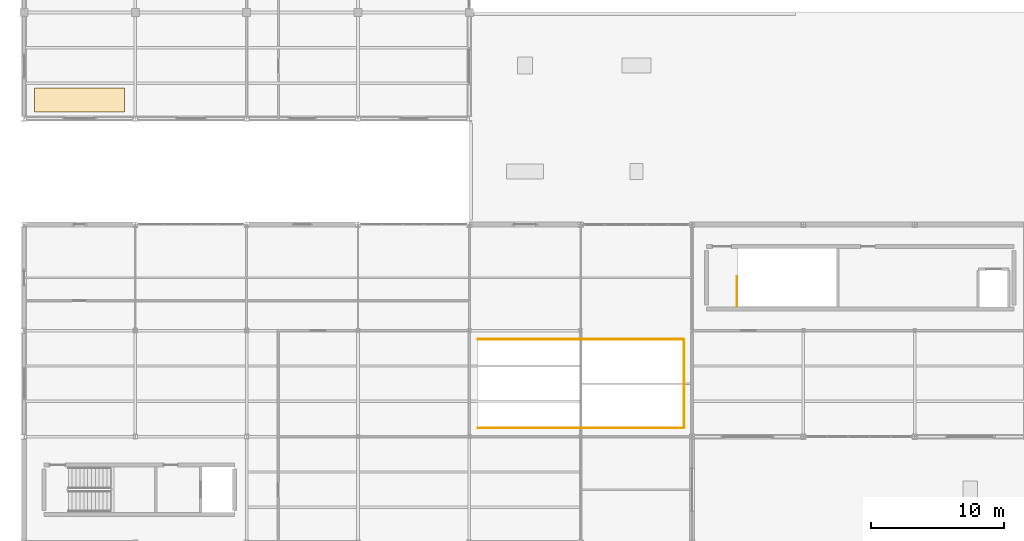
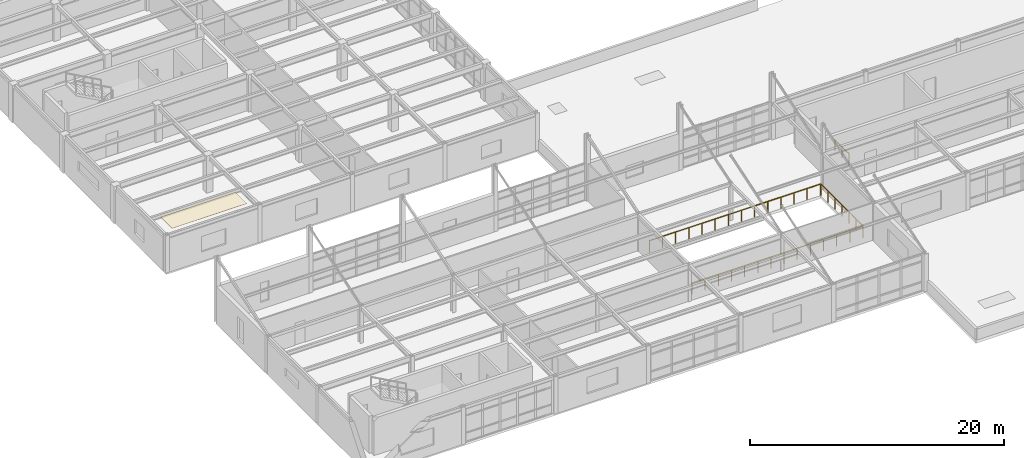
# One storey, part 90 of 96: 4 railings, 1 covering.
"""IFC4 building model written with IfcOpenShell, lengths in metres."""

import ifcopenshell
import ifcopenshell.guid

model = None  # the IFC model being written
_history = None  # IfcOwnerHistory: only IFC2X3 demands one
_inside = {}  # id of a spatial element -> (the spatial element, [elements in it])
_under = {}  # id of a project, library or spatial element -> (it, [spatial elements below it])
_declared = {}  # id of a project -> (the project, [libraries it declares])
_typed = {}  # id of a type object -> (the type object, [elements of that type])
_made_of = {}  # id of a material, layer set ... -> (it, [elements and type objects made of it])


def new_model(schema):
    """Start an empty IFC model of exactly this schema.

    Asked for "IFC4X3", IfcOpenShell would pick the latest addendum, in which some entities
    have other attributes; the version numbers below select the first issue.
    IFC2X3 requires an IfcOwnerHistory on every rooted entity: one is made here for all.
    """
    global model, _history
    if schema == "IFC4X3":
        model = ifcopenshell.file(schema_version=(4, 3, 0, 0))
    else:
        model = ifcopenshell.file(schema=schema)
    _inside.clear()
    _under.clear()
    _declared.clear()
    _typed.clear()
    _made_of.clear()
    _history = None
    if model.schema == "IFC2X3":
        org = make("IfcOrganization", Name="unknown")
        user = make(
            "IfcPersonAndOrganization",
            ThePerson=make("IfcPerson", FamilyName="unknown"),
            TheOrganization=org,
        )
        app = make(
            "IfcApplication",
            ApplicationDeveloper=org,
            Version="unknown",
            ApplicationFullName="unknown",
            ApplicationIdentifier="unknown",
        )
        _history = make(
            "IfcOwnerHistory",
            OwningUser=user,
            OwningApplication=app,
            ChangeAction="ADDED",
            CreationDate=0,
        )
    return model


def make(cls, **values):
    """One entity of the class cls with the attributes given. An attribute that is None is left unset."""
    return model.create_entity(
        cls, **{name: value for name, value in values.items() if value is not None}
    )


def rooted(cls, **values):
    """An entity with a GlobalId (a new one), such as an element, a storey or a relation."""
    return make(cls, GlobalId=ifcopenshell.guid.new(), OwnerHistory=_history, **values)


def si_unit(unit_type, name, prefix=None):
    """IfcSIUnit, for example si_unit("LENGTHUNIT", "METRE", prefix="MILLI")."""
    return make("IfcSIUnit", UnitType=unit_type, Prefix=prefix, Name=name)


def assignment(units):
    """IfcUnitAssignment: the units of a project."""
    return None if units is None else make("IfcUnitAssignment", Units=units)


def point(xyz):
    """IfcCartesianPoint."""
    return None if xyz is None else make("IfcCartesianPoint", Coordinates=xyz)


def direction(xyz):
    """IfcDirection."""
    return None if xyz is None else make("IfcDirection", DirectionRatios=xyz)


def frame(location, z_axis=None, x_axis=None):
    """IfcAxis2Placement3D, a coordinate frame: its origin and axes. An axis left out is left unset."""
    return make(
        "IfcAxis2Placement3D",
        Location=point(location),
        Axis=direction(z_axis),
        RefDirection=direction(x_axis),
    )


def frame_2d(location, x_axis=None):
    """IfcAxis2Placement2D, a coordinate frame in the plane: its origin and x axis."""
    return make(
        "IfcAxis2Placement2D", Location=point(location), RefDirection=direction(x_axis)
    )


def origin():
    """The frame at (0, 0, 0) with its axes left unset."""
    return frame((0.0, 0.0, 0.0))


def origin_2d():
    """The frame at (0, 0) in the plane with its x axis left unset."""
    return frame_2d((0.0, 0.0))


def place(relative_to, where):
    """IfcLocalPlacement: puts the frame where relative to a parent placement (None: the world)."""
    return make(
        "IfcLocalPlacement", PlacementRelTo=relative_to, RelativePlacement=where
    )


def context(
    kind, dimensions, precision=None, world=None, true_north=None, identifier=None
):
    """IfcGeometricRepresentationContext, for example the 3D "Model" context."""
    return make(
        "IfcGeometricRepresentationContext",
        ContextIdentifier=identifier,
        ContextType=kind,
        CoordinateSpaceDimension=dimensions,
        Precision=precision,
        WorldCoordinateSystem=world,
        TrueNorth=true_north,
    )


def subcontext(parent, identifier, kind, view, scale=None):
    """IfcGeometricRepresentationSubContext, for example "Body" below "Model"."""
    return make(
        "IfcGeometricRepresentationSubContext",
        ContextIdentifier=identifier,
        ContextType=kind,
        ParentContext=parent,
        TargetScale=scale,
        TargetView=view,
    )


def project(units=None, contexts=None):
    """IfcProject with its units and contexts."""
    return rooted(
        "IfcProject",
        Name="project",
        RepresentationContexts=contexts,
        UnitsInContext=assignment(units),
    )


def spatial(cls, under=None, at=None, **own):
    """A site, building, storey or space (cls), placed at a placement, below another one or the project."""
    s = rooted(cls, ObjectPlacement=at, **own)
    if under is not None:
        _under.setdefault(under.id(), (under, []))[1].append(s)
    return s


def polyline(points):
    """IfcPolyline through the points."""
    return make("IfcPolyline", Points=[point(p) for p in points])


def profile(cls, at=None, kind="AREA", **sizes):
    """A parametric profile (cls). Its sizes go by their IFC names, for example OverallWidth=200.0."""
    return make(cls, ProfileType=kind, Position=at, **sizes)


def circle(**sizes):
    """IfcCircleProfileDef."""
    return profile("IfcCircleProfileDef", **sizes)


def outline(outer, holes=None, kind="AREA"):
    """IfcArbitraryClosedProfileDef: a profile drawn as a closed curve; with holes, ...WithVoids."""
    if holes is None:
        return make("IfcArbitraryClosedProfileDef", ProfileType=kind, OuterCurve=outer)
    return make(
        "IfcArbitraryProfileDefWithVoids",
        ProfileType=kind,
        OuterCurve=outer,
        InnerCurves=holes,
    )


def extrude(swept, where, along, depth):
    """IfcExtrudedAreaSolid: the profile swept, set in the frame where, extruded along a direction by depth."""
    return make(
        "IfcExtrudedAreaSolid",
        SweptArea=swept,
        Position=where,
        ExtrudedDirection=direction(along),
        Depth=depth,
    )


def shape(context_of_items, identifier, shape_type, items):
    """IfcShapeRepresentation: the items that make up one representation, for example the "Body"."""
    return make(
        "IfcShapeRepresentation",
        ContextOfItems=context_of_items,
        RepresentationIdentifier=identifier,
        RepresentationType=shape_type,
        Items=items,
    )


def material(Name=None, Category=None):
    """IfcMaterial."""
    return make("IfcMaterial", Name=Name, Category=Category)


def layer(
    of_material, thickness, ventilated=None, Name=None, Category=None, Priority=None
):
    """IfcMaterialLayer: one layer of a wall or slab, of a material (None: an air gap)."""
    return make(
        "IfcMaterialLayer",
        Material=of_material,
        LayerThickness=thickness,
        IsVentilated=ventilated,
        Name=Name,
        Category=Category,
        Priority=Priority,
    )


def layer_set(layers, Name=None):
    """IfcMaterialLayerSet."""
    return make("IfcMaterialLayerSet", MaterialLayers=layers, LayerSetName=Name)


def made_of(thing, what):
    """Note that an element or type object is made of a material, layer set ...; save() writes the relation."""
    if what is not None:
        _made_of.setdefault(what.id(), (what, []))[1].append(thing)
    return thing


def type_object(cls, material=None, **own):
    """A type object (cls), such as IfcWallType, which elements share."""
    return made_of(rooted(cls, **own), material)


def element(
    cls,
    number,
    at=None,
    inside=None,
    cuts=None,
    type_object=None,
    material=None,
    context=None,
    identifier="Body",
    shape_type=None,
    held_by="IfcProductDefinitionShape",
    body=None,
    shapes=None,
    **own,
):
    """One element of the class cls, such as IfcWall. Its Tag is "e" and its number.

    at: its placement. inside: the storey or other place that contains it. cuts: it is an
    opening in that element (IfcRelVoidsElement). A single representation is given by context,
    identifier, shape_type and body (its items); several are given by shapes. held_by: the class
    of the entity that holds the representations. save() writes the other relations.
    """
    e = rooted(cls, Tag="e%d" % number, ObjectPlacement=at, **own)
    if body is not None:
        shapes = [shape(context, identifier, shape_type, body)]
    if shapes is not None:
        e.Representation = make(held_by, Representations=shapes)
    if inside is not None:
        _inside.setdefault(inside.id(), (inside, []))[1].append(e)
    if cuts is not None:
        rooted(
            "IfcRelVoidsElement", RelatingBuildingElement=cuts, RelatedOpeningElement=e
        )
    if type_object is not None:
        _typed.setdefault(type_object.id(), (type_object, []))[1].append(e)
    return made_of(e, material)


def aggregate(whole, parts):
    """IfcRelAggregates: a whole, such as a stair, and the parts it consists of."""
    return rooted("IfcRelAggregates", RelatingObject=whole, RelatedObjects=parts)


def save(model, path):
    """Write the relations noted so far, then the file.

    IfcRelAggregates (storeys below a building ...), IfcRelContainedInSpatialStructure (elements
    in a storey), IfcRelDefinesByType, IfcRelAssociatesMaterial and IfcRelDeclares: one each for
    every whole, place, type object, material and project.
    """
    for whole, parts in _under.values():
        aggregate(whole, parts)
    for where, things in _inside.values():
        rooted(
            "IfcRelContainedInSpatialStructure",
            RelatedElements=things,
            RelatingStructure=where,
        )
    for kind, things in _typed.values():
        rooted("IfcRelDefinesByType", RelatedObjects=things, RelatingType=kind)
    for what, things in _made_of.values():
        rooted("IfcRelAssociatesMaterial", RelatedObjects=things, RelatingMaterial=what)
    for by, libraries in _declared.values():
        rooted("IfcRelDeclares", RelatingContext=by, RelatedDefinitions=libraries)
    model.write(path)


model = new_model("IFC4")

# Units and contexts
model_context = context("Model", 3, precision=1e-05, world=origin(), true_north=direction((0.0, 1.0)))
body_context = subcontext(model_context, "Body", "Model", "MODEL_VIEW")
ifc_project = project(units=[si_unit("LENGTHUNIT", "METRE"), si_unit("AREAUNIT", "SQUARE_METRE"), si_unit("VOLUMEUNIT", "CUBIC_METRE"), si_unit("PLANEANGLEUNIT", "RADIAN"), si_unit("MASSUNIT", "GRAM", prefix="KILO")], contexts=[model_context])

# Site, building, storey
site_placement = place(None, origin())
site = spatial("IfcSite", under=ifc_project, at=site_placement, CompositionType="ELEMENT")
building_placement = place(site_placement, origin())
building = spatial("IfcBuilding", under=site, at=building_placement, Name="Kranzveld Transit Interchange", CompositionType="ELEMENT")
storey_placement = place(building_placement, frame((0.0, 0.0, 9.52001953125)))
storey = spatial("IfcBuildingStorey", under=building, at=storey_placement, Name="L02", CompositionType="ELEMENT", Elevation=9.52001953125)

# Covering
ifc_material_1 = material(Name="Bronze-anodised thermally broken aluminium", Category="aluminium")
ifc_layer = layer(ifc_material_1, 0.02490234375)
ifc_layer_set = layer_set([ifc_layer], Name="Bronze-anodised thermally broken aluminium")
covering_type = type_object("IfcCoveringType", Name="Acoustic Perforated Ceiling Tile 25", PredefinedType="CEILING", material=ifc_layer_set)
covering_placement = place(storey_placement, frame((0.0, 0.0, 3.544921875)))
element("IfcCovering", 1, at=covering_placement, inside=storey, type_object=covering_type, Name="Crew Briefing Acoustic Ceiling", PredefinedType="CEILING", context=body_context, shape_type="SweptSolid", body=[
    extrude(outline(polyline([(0.800048828125, 48.5), (7.60009765625, 48.5), (7.60009765625, 50.300048828125), (0.800048828125, 50.300048828125), (0.800048828125, 48.5)])), origin(), (0.0, 0.0, 1.0), 0.025146484375),
])

# Railings
ifc_material_2 = material(Name="Steel S355JR", Category="steel")
railing_type_1 = type_object("IfcRailingType", Name="Atrium Void Guardrail 1100", PredefinedType="GUARDRAIL", material=ifc_material_2)
railing_1_placement = place(storey_placement, frame((34.239990234375, 24.64990234375, 0.0)))
element("IfcRailing", 2, at=railing_1_placement, inside=storey, type_object=railing_type_1, Name="L02 Cycle Ramp Well Guardrail 1", PredefinedType="GUARDRAIL", context=body_context, shape_type="SweptSolid", body=[
    extrude(circle(Radius=0.02392578125, at=origin_2d()), frame((0.0, 0.0, 1.076171875), z_axis=(1.0, 0.0, 0.0), x_axis=(0.0, 1.0, 0.0)), (0.0, 0.0, 1.0), 15.52001953125),
    extrude(circle(Radius=0.02099609375, at=origin_2d()), origin(), (0.0, 0.0, 1.0), 1.050048828125),
    extrude(circle(Radius=0.02099609375, at=origin_2d()), frame((1.19384765625, 0.0, 0.0)), (0.0, 0.0, 1.0), 1.050048828125),
    extrude(circle(Radius=0.02099609375, at=origin_2d()), frame((2.3876953125, 0.0, 0.0)), (0.0, 0.0, 1.0), 1.050048828125),
    extrude(circle(Radius=0.02099609375, at=origin_2d()), frame((3.58154296875, 0.0, 0.0)), (0.0, 0.0, 1.0), 1.050048828125),
    extrude(circle(Radius=0.02099609375, at=origin_2d()), frame((4.775390625, 0.0, 0.0)), (0.0, 0.0, 1.0), 1.050048828125),
    extrude(circle(Radius=0.02099609375, at=origin_2d()), frame((5.96923828125, 0.0, 0.0)), (0.0, 0.0, 1.0), 1.050048828125),
    extrude(circle(Radius=0.02099609375, at=origin_2d()), frame((7.1630859375, 0.0, 0.0)), (0.0, 0.0, 1.0), 1.050048828125),
    extrude(circle(Radius=0.02099609375, at=origin_2d()), frame((8.35693359375, 0.0, 0.0)), (0.0, 0.0, 1.0), 1.050048828125),
    extrude(circle(Radius=0.02099609375, at=origin_2d()), frame((9.55078125, 0.0, 0.0)), (0.0, 0.0, 1.0), 1.050048828125),
    extrude(circle(Radius=0.02099609375, at=origin_2d()), frame((10.74462890625, 0.0, 0.0)), (0.0, 0.0, 1.0), 1.050048828125),
    extrude(circle(Radius=0.02099609375, at=origin_2d()), frame((11.9384765625, 0.0, 0.0)), (0.0, 0.0, 1.0), 1.050048828125),
    extrude(circle(Radius=0.02099609375, at=origin_2d()), frame((13.13232421875, 0.0, 0.0)), (0.0, 0.0, 1.0), 1.050048828125),
    extrude(circle(Radius=0.02099609375, at=origin_2d()), frame((14.326171875, 0.0, 0.0)), (0.0, 0.0, 1.0), 1.050048828125),
    extrude(circle(Radius=0.02099609375, at=origin_2d()), frame((15.52001953125, 0.0, 0.0)), (0.0, 0.0, 1.0), 1.050048828125),
])
railing_2_placement = place(storey_placement, frame((49.800048828125, 24.68994140625, 0.0)))
element("IfcRailing", 3, at=railing_2_placement, inside=storey, type_object=railing_type_1, Name="L02 Cycle Ramp Well Guardrail 2", PredefinedType="GUARDRAIL", context=body_context, shape_type="SweptSolid", body=[
    extrude(circle(Radius=0.02392578125, at=origin_2d()), frame((0.0, 0.0, 1.076171875), z_axis=(0.0, 1.0, 0.0), x_axis=(-1.0, 0.0, 0.0)), (0.0, 0.0, 1.0), 6.6201171875),
    extrude(circle(Radius=0.02099609375, at=origin_2d()), origin(), (0.0, 0.0, 1.0), 1.050048828125),
    extrude(circle(Radius=0.02099609375, at=origin_2d()), frame((0.0, 1.103271484375, 0.0)), (0.0, 0.0, 1.0), 1.050048828125),
    extrude(circle(Radius=0.02099609375, at=origin_2d()), frame((0.0, 2.206787109375, 0.0)), (0.0, 0.0, 1.0), 1.050048828125),
    extrude(circle(Radius=0.02099609375, at=origin_2d()), frame((0.0, 3.31005859375, 0.0)), (0.0, 0.0, 1.0), 1.050048828125),
    extrude(circle(Radius=0.02099609375, at=origin_2d()), frame((0.0, 4.413330078125, 0.0)), (0.0, 0.0, 1.0), 1.050048828125),
    extrude(circle(Radius=0.02099609375, at=origin_2d()), frame((0.0, 5.516845703125, 0.0)), (0.0, 0.0, 1.0), 1.050048828125),
    extrude(circle(Radius=0.02099609375, at=origin_2d()), frame((0.0, 6.6201171875, 0.0)), (0.0, 0.0, 1.0), 1.050048828125),
])
railing_3_placement = place(storey_placement, frame((49.760009765625, 31.35009765625, 0.0)))
element("IfcRailing", 4, at=railing_3_placement, inside=storey, type_object=railing_type_1, Name="L02 Cycle Ramp Well Guardrail 3", PredefinedType="GUARDRAIL", context=body_context, shape_type="SweptSolid", body=[
    extrude(circle(Radius=0.02392578125, at=origin_2d()), frame((0.0, 0.0, 1.076171875), z_axis=(-1.0, 0.0, 0.0), x_axis=(0.0, -1.0, 0.0)), (0.0, 0.0, 1.0), 15.52001953125),
    extrude(circle(Radius=0.02099609375, at=origin_2d()), origin(), (0.0, 0.0, 1.0), 1.050048828125),
    extrude(circle(Radius=0.02099609375, at=origin_2d()), frame((-1.19384765625, 0.0, 0.0)), (0.0, 0.0, 1.0), 1.050048828125),
    extrude(circle(Radius=0.02099609375, at=origin_2d()), frame((-2.3876953125, 0.0, 0.0)), (0.0, 0.0, 1.0), 1.050048828125),
    extrude(circle(Radius=0.02099609375, at=origin_2d()), frame((-3.58154296875, 0.0, 0.0)), (0.0, 0.0, 1.0), 1.050048828125),
    extrude(circle(Radius=0.02099609375, at=origin_2d()), frame((-4.775390625, 0.0, 0.0)), (0.0, 0.0, 1.0), 1.050048828125),
    extrude(circle(Radius=0.02099609375, at=origin_2d()), frame((-5.96923828125, 0.0, 0.0)), (0.0, 0.0, 1.0), 1.050048828125),
    extrude(circle(Radius=0.02099609375, at=origin_2d()), frame((-7.1630859375, 0.0, 0.0)), (0.0, 0.0, 1.0), 1.050048828125),
    extrude(circle(Radius=0.02099609375, at=origin_2d()), frame((-8.35693359375, 0.0, 0.0)), (0.0, 0.0, 1.0), 1.050048828125),
    extrude(circle(Radius=0.02099609375, at=origin_2d()), frame((-9.55078125, 0.0, 0.0)), (0.0, 0.0, 1.0), 1.050048828125),
    extrude(circle(Radius=0.02099609375, at=origin_2d()), frame((-10.74462890625, 0.0, 0.0)), (0.0, 0.0, 1.0), 1.050048828125),
    extrude(circle(Radius=0.02099609375, at=origin_2d()), frame((-11.9384765625, 0.0, 0.0)), (0.0, 0.0, 1.0), 1.050048828125),
    extrude(circle(Radius=0.02099609375, at=origin_2d()), frame((-13.13232421875, 0.0, 0.0)), (0.0, 0.0, 1.0), 1.050048828125),
    extrude(circle(Radius=0.02099609375, at=origin_2d()), frame((-14.326171875, 0.0, 0.0)), (0.0, 0.0, 1.0), 1.050048828125),
    extrude(circle(Radius=0.02099609375, at=origin_2d()), frame((-15.52001953125, 0.0, 0.0)), (0.0, 0.0, 1.0), 1.050048828125),
])
ifc_material_3 = material(Name="Steel S355JR", Category="steel")
railing_type_2 = type_object("IfcRailingType", Name="Stair Well Guardrail Steel 1100", PredefinedType="GUARDRAIL", material=ifc_material_3)
railing_4_placement = place(storey_placement, frame((53.800048828125, 33.820068359375, 0.0)))
element("IfcRailing", 5, at=railing_4_placement, inside=storey, type_object=railing_type_2, Name="L02 ST-M2 top well guard 1", PredefinedType="GUARDRAIL", context=body_context, shape_type="SweptSolid", body=[
    extrude(circle(Radius=0.02392578125, at=origin_2d()), frame((0.0, 0.0, 1.076171875), z_axis=(0.0, 1.0, 0.0), x_axis=(-1.0, 0.0, 0.0)), (0.0, 0.0, 1.0), 2.260009765625),
    extrude(circle(Radius=0.02099609375, at=origin_2d()), origin(), (0.0, 0.0, 1.0), 1.050048828125),
    extrude(circle(Radius=0.02099609375, at=origin_2d()), frame((0.0, 1.1298828125, 0.0)), (0.0, 0.0, 1.0), 1.050048828125),
    extrude(circle(Radius=0.02099609375, at=origin_2d()), frame((0.0, 2.260009765625, 0.0)), (0.0, 0.0, 1.0), 1.050048828125),
])

save(model, "model.ifc")
